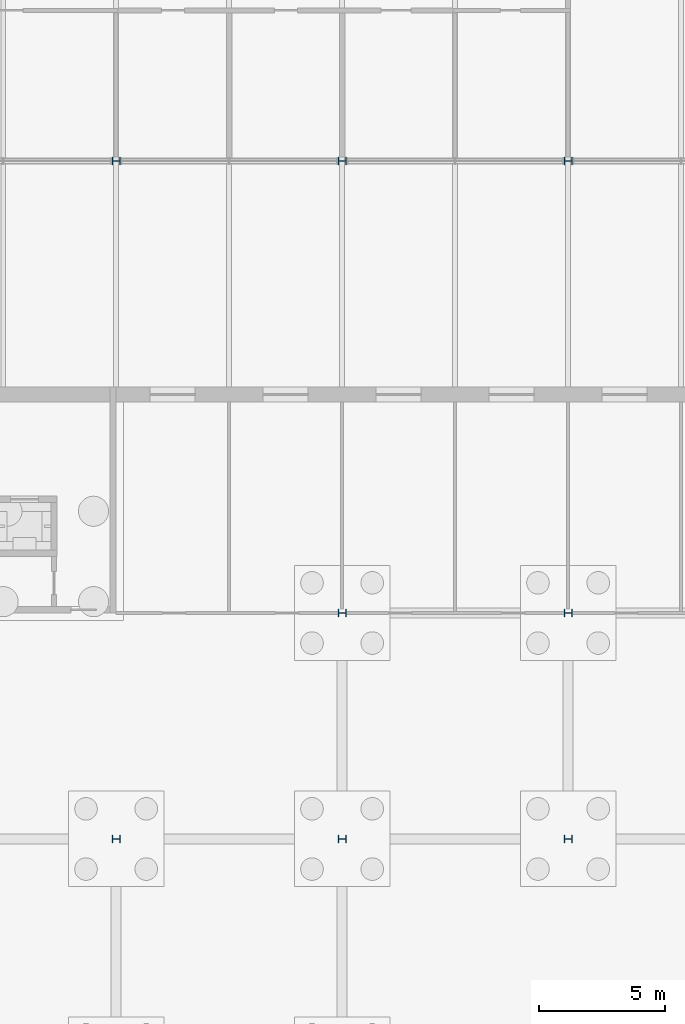
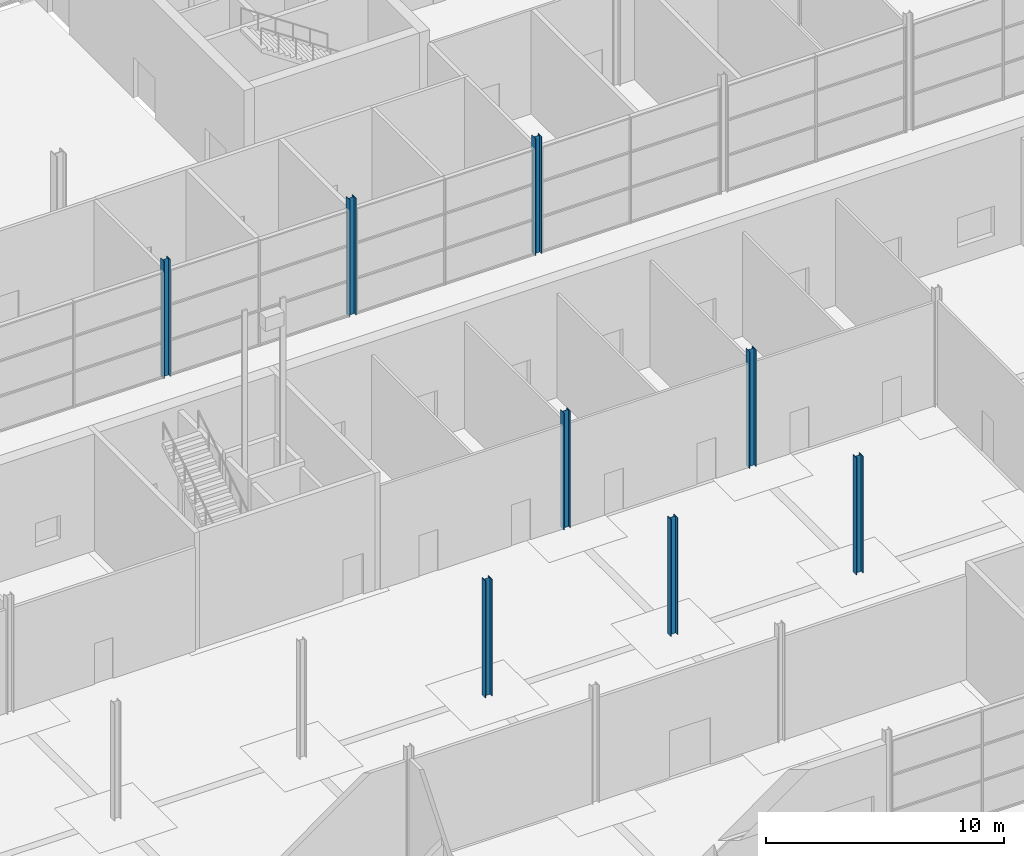
# One storey, part 14 of 97: 8 columns.
"""IFC4 building model written with IfcOpenShell, lengths in metres."""

from ifc_helpers import new_model, si_unit, direction, frame, origin, origin_2d, place, context, subcontext, project, spatial, i_section, extrude, material, material_profile, profile_set, type_object, element, save


model = new_model("IFC4")

# Units and contexts
model_context = context("Model", 3, precision=1e-05, world=origin(), true_north=direction((0.0, 1.0)))
body_context = subcontext(model_context, "Body", "Model", "MODEL_VIEW")
ifc_project = project(units=[si_unit("LENGTHUNIT", "METRE"), si_unit("AREAUNIT", "SQUARE_METRE"), si_unit("VOLUMEUNIT", "CUBIC_METRE"), si_unit("PLANEANGLEUNIT", "RADIAN"), si_unit("MASSUNIT", "GRAM", prefix="KILO")], contexts=[model_context])

# Site, building, storey
site_placement = place(None, origin())
site = spatial("IfcSite", under=ifc_project, at=site_placement, CompositionType="ELEMENT")
building_placement = place(site_placement, origin())
building = spatial("IfcBuilding", under=site, at=building_placement, Name="Corbel Yard City Hall", CompositionType="ELEMENT")
storey_placement = place(building_placement, origin())
storey = spatial("IfcBuildingStorey", under=building, at=storey_placement, Name="L00", CompositionType="ELEMENT", Elevation=0.0)

# Columns
ifc_material = material(Name="Steel Grade 300 (300 MPa yield)", Category="steel")
ifc_material_profile_1 = material_profile(ifc_material, i_section(OverallWidth=0.306884765625, OverallDepth=0.31494140625, WebThickness=0.011962890625, FlangeThickness=0.018798828125, at=origin_2d()), Name="310UC118")
ifc_profile_set_1 = profile_set([ifc_material_profile_1], Name="Steel Grade 300 (300 MPa yield)")
column_type_1 = type_object("IfcColumnType", Name="Column 310UC118", PredefinedType="COLUMN", material=ifc_profile_set_1)
for number, where, z_axis, x_axis, name in (
    (1, (36.0, 90.0, 0.0), (0.0, 0.0, 1.0), (0.0, 1.0, 0.0), "Column 310UC118 K/5 L00"),
    (2, (45.0, 90.0, 0.0), (0.0, 0.0, 1.0), (0.0, 1.0, 0.0), "Column 310UC118 K/6 L00"),
    (3, (54.0, 90.0, 0.0), (0.0, 0.0, 1.0), (0.0, 1.0, 0.0), "Column 310UC118 K/7 L00"),
):
    element("IfcColumn", number, at=place(storey_placement, frame(where, z_axis=z_axis, x_axis=x_axis)), inside=storey, type_object=column_type_1, Name=name, PredefinedType="COLUMN", context=body_context, shape_type="SweptSolid", body=[
        extrude(i_section(OverallWidth=0.306884765625, OverallDepth=0.31494140625, WebThickness=0.011962890625, FlangeThickness=0.018798828125, at=origin_2d()), origin(), (0.0, 0.0, 1.0), 6.0),
    ])
ifc_material_profile_2 = material_profile(ifc_material, i_section(OverallWidth=0.31103515625, OverallDepth=0.326904296875, WebThickness=0.015625, FlangeThickness=0.02490234375, at=origin_2d()), Name="310UC158")
ifc_profile_set_2 = profile_set([ifc_material_profile_2], Name="Steel Grade 300 (300 MPa yield)")
column_type_2 = type_object("IfcColumnType", Name="Column 310UC158", PredefinedType="COLUMN", material=ifc_profile_set_2)
for number, where, z_axis, x_axis, name in (
    (4, (36.0, 63.0, 0.0), (0.0, 0.0, 1.0), (0.0, 1.0, 0.0), "Column 310UC158 H/5 L00"),
    (5, (45.0, 63.0, 0.0), (0.0, 0.0, 1.0), (0.0, 1.0, 0.0), "Column 310UC158 H/6 L00"),
    (6, (45.0, 72.0, 0.0), (0.0, 0.0, 1.0), (0.0, 1.0, 0.0), "Column 310UC158 I/6 L00"),
    (7, (54.0, 63.0, 0.0), (0.0, 0.0, 1.0), (0.0, 1.0, 0.0), "Column 310UC158 H/7 L00"),
    (8, (54.0, 72.0, 0.0), (0.0, 0.0, 1.0), (0.0, 1.0, 0.0), "Column 310UC158 I/7 L00"),
):
    element("IfcColumn", number, at=place(storey_placement, frame(where, z_axis=z_axis, x_axis=x_axis)), inside=storey, type_object=column_type_2, Name=name, PredefinedType="COLUMN", context=body_context, shape_type="SweptSolid", body=[
        extrude(i_section(OverallWidth=0.31103515625, OverallDepth=0.326904296875, WebThickness=0.015625, FlangeThickness=0.02490234375, at=origin_2d()), origin(), (0.0, 0.0, 1.0), 6.0),
    ])

save(model, "model.ifc")
